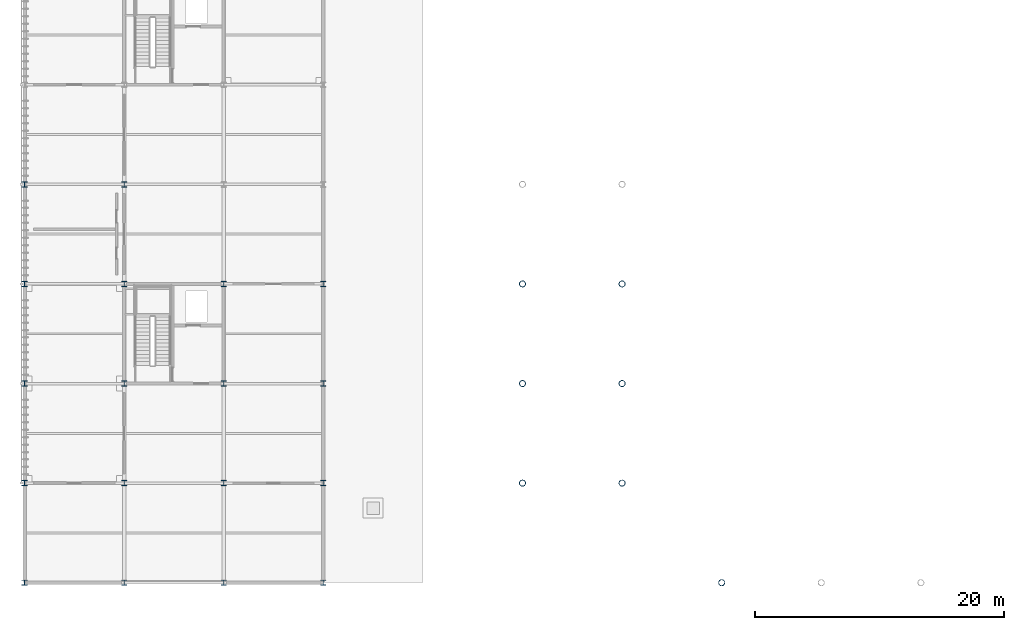
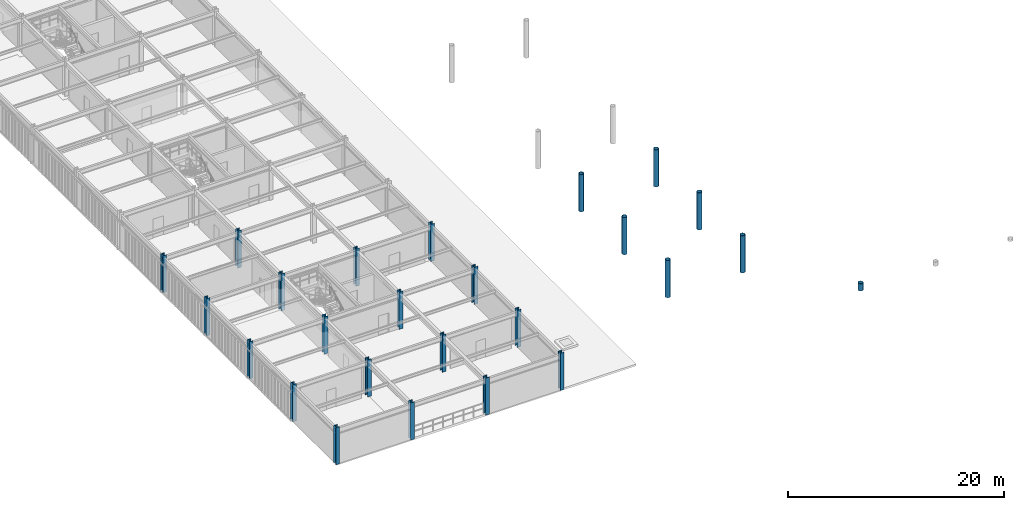
# One storey, part 1 of 54: 25 columns.
"""IFC4 building model written with IfcOpenShell, lengths in metres."""

import ifcopenshell
import ifcopenshell.guid

model = None  # the IFC model being written
_history = None  # IfcOwnerHistory: only IFC2X3 demands one
_inside = {}  # id of a spatial element -> (the spatial element, [elements in it])
_under = {}  # id of a project, library or spatial element -> (it, [spatial elements below it])
_declared = {}  # id of a project -> (the project, [libraries it declares])
_typed = {}  # id of a type object -> (the type object, [elements of that type])
_made_of = {}  # id of a material, layer set ... -> (it, [elements and type objects made of it])


def new_model(schema):
    """Start an empty IFC model of exactly this schema.

    Asked for "IFC4X3", IfcOpenShell would pick the latest addendum, in which some entities
    have other attributes; the version numbers below select the first issue.
    IFC2X3 requires an IfcOwnerHistory on every rooted entity: one is made here for all.
    """
    global model, _history
    if schema == "IFC4X3":
        model = ifcopenshell.file(schema_version=(4, 3, 0, 0))
    else:
        model = ifcopenshell.file(schema=schema)
    _inside.clear()
    _under.clear()
    _declared.clear()
    _typed.clear()
    _made_of.clear()
    _history = None
    if model.schema == "IFC2X3":
        org = make("IfcOrganization", Name="unknown")
        user = make(
            "IfcPersonAndOrganization",
            ThePerson=make("IfcPerson", FamilyName="unknown"),
            TheOrganization=org,
        )
        app = make(
            "IfcApplication",
            ApplicationDeveloper=org,
            Version="unknown",
            ApplicationFullName="unknown",
            ApplicationIdentifier="unknown",
        )
        _history = make(
            "IfcOwnerHistory",
            OwningUser=user,
            OwningApplication=app,
            ChangeAction="ADDED",
            CreationDate=0,
        )
    return model


def make(cls, **values):
    """One entity of the class cls with the attributes given. An attribute that is None is left unset."""
    return model.create_entity(
        cls, **{name: value for name, value in values.items() if value is not None}
    )


def rooted(cls, **values):
    """An entity with a GlobalId (a new one), such as an element, a storey or a relation."""
    return make(cls, GlobalId=ifcopenshell.guid.new(), OwnerHistory=_history, **values)


def si_unit(unit_type, name, prefix=None):
    """IfcSIUnit, for example si_unit("LENGTHUNIT", "METRE", prefix="MILLI")."""
    return make("IfcSIUnit", UnitType=unit_type, Prefix=prefix, Name=name)


def assignment(units):
    """IfcUnitAssignment: the units of a project."""
    return None if units is None else make("IfcUnitAssignment", Units=units)


def point(xyz):
    """IfcCartesianPoint."""
    return None if xyz is None else make("IfcCartesianPoint", Coordinates=xyz)


def direction(xyz):
    """IfcDirection."""
    return None if xyz is None else make("IfcDirection", DirectionRatios=xyz)


def frame(location, z_axis=None, x_axis=None):
    """IfcAxis2Placement3D, a coordinate frame: its origin and axes. An axis left out is left unset."""
    return make(
        "IfcAxis2Placement3D",
        Location=point(location),
        Axis=direction(z_axis),
        RefDirection=direction(x_axis),
    )


def frame_2d(location, x_axis=None):
    """IfcAxis2Placement2D, a coordinate frame in the plane: its origin and x axis."""
    return make(
        "IfcAxis2Placement2D", Location=point(location), RefDirection=direction(x_axis)
    )


def origin():
    """The frame at (0, 0, 0) with its axes left unset."""
    return frame((0.0, 0.0, 0.0))


def origin_2d():
    """The frame at (0, 0) in the plane with its x axis left unset."""
    return frame_2d((0.0, 0.0))


def place(relative_to, where):
    """IfcLocalPlacement: puts the frame where relative to a parent placement (None: the world)."""
    return make(
        "IfcLocalPlacement", PlacementRelTo=relative_to, RelativePlacement=where
    )


def context(
    kind, dimensions, precision=None, world=None, true_north=None, identifier=None
):
    """IfcGeometricRepresentationContext, for example the 3D "Model" context."""
    return make(
        "IfcGeometricRepresentationContext",
        ContextIdentifier=identifier,
        ContextType=kind,
        CoordinateSpaceDimension=dimensions,
        Precision=precision,
        WorldCoordinateSystem=world,
        TrueNorth=true_north,
    )


def subcontext(parent, identifier, kind, view, scale=None):
    """IfcGeometricRepresentationSubContext, for example "Body" below "Model"."""
    return make(
        "IfcGeometricRepresentationSubContext",
        ContextIdentifier=identifier,
        ContextType=kind,
        ParentContext=parent,
        TargetScale=scale,
        TargetView=view,
    )


def project(units=None, contexts=None):
    """IfcProject with its units and contexts."""
    return rooted(
        "IfcProject",
        Name="project",
        RepresentationContexts=contexts,
        UnitsInContext=assignment(units),
    )


def spatial(cls, under=None, at=None, **own):
    """A site, building, storey or space (cls), placed at a placement, below another one or the project."""
    s = rooted(cls, ObjectPlacement=at, **own)
    if under is not None:
        _under.setdefault(under.id(), (under, []))[1].append(s)
    return s


def profile(cls, at=None, kind="AREA", **sizes):
    """A parametric profile (cls). Its sizes go by their IFC names, for example OverallWidth=200.0."""
    return make(cls, ProfileType=kind, Position=at, **sizes)


def hollow_circle(**sizes):
    """IfcCircleHollowProfileDef."""
    return profile("IfcCircleHollowProfileDef", **sizes)


def i_section(**sizes):
    """IfcIShapeProfileDef."""
    return profile("IfcIShapeProfileDef", **sizes)


def extrude(swept, where, along, depth):
    """IfcExtrudedAreaSolid: the profile swept, set in the frame where, extruded along a direction by depth."""
    return make(
        "IfcExtrudedAreaSolid",
        SweptArea=swept,
        Position=where,
        ExtrudedDirection=direction(along),
        Depth=depth,
    )


def shape(context_of_items, identifier, shape_type, items):
    """IfcShapeRepresentation: the items that make up one representation, for example the "Body"."""
    return make(
        "IfcShapeRepresentation",
        ContextOfItems=context_of_items,
        RepresentationIdentifier=identifier,
        RepresentationType=shape_type,
        Items=items,
    )


def material(Name=None, Category=None):
    """IfcMaterial."""
    return make("IfcMaterial", Name=Name, Category=Category)


def material_profile(
    of_material, cross_section, Name=None, Category=None, Priority=None
):
    """IfcMaterialProfile: a cross section and its material."""
    return make(
        "IfcMaterialProfile",
        Name=Name,
        Material=of_material,
        Profile=cross_section,
        Priority=Priority,
        Category=Category,
    )


def profile_set(profiles, Name=None, composite=None):
    """IfcMaterialProfileSet."""
    return make(
        "IfcMaterialProfileSet",
        Name=Name,
        MaterialProfiles=profiles,
        CompositeProfile=composite,
    )


def made_of(thing, what):
    """Note that an element or type object is made of a material, layer set ...; save() writes the relation."""
    if what is not None:
        _made_of.setdefault(what.id(), (what, []))[1].append(thing)
    return thing


def type_object(cls, material=None, **own):
    """A type object (cls), such as IfcWallType, which elements share."""
    return made_of(rooted(cls, **own), material)


def element(
    cls,
    number,
    at=None,
    inside=None,
    cuts=None,
    type_object=None,
    material=None,
    context=None,
    identifier="Body",
    shape_type=None,
    held_by="IfcProductDefinitionShape",
    body=None,
    shapes=None,
    **own,
):
    """One element of the class cls, such as IfcWall. Its Tag is "e" and its number.

    at: its placement. inside: the storey or other place that contains it. cuts: it is an
    opening in that element (IfcRelVoidsElement). A single representation is given by context,
    identifier, shape_type and body (its items); several are given by shapes. held_by: the class
    of the entity that holds the representations. save() writes the other relations.
    """
    e = rooted(cls, Tag="e%d" % number, ObjectPlacement=at, **own)
    if body is not None:
        shapes = [shape(context, identifier, shape_type, body)]
    if shapes is not None:
        e.Representation = make(held_by, Representations=shapes)
    if inside is not None:
        _inside.setdefault(inside.id(), (inside, []))[1].append(e)
    if cuts is not None:
        rooted(
            "IfcRelVoidsElement", RelatingBuildingElement=cuts, RelatedOpeningElement=e
        )
    if type_object is not None:
        _typed.setdefault(type_object.id(), (type_object, []))[1].append(e)
    return made_of(e, material)


def aggregate(whole, parts):
    """IfcRelAggregates: a whole, such as a stair, and the parts it consists of."""
    return rooted("IfcRelAggregates", RelatingObject=whole, RelatedObjects=parts)


def save(model, path):
    """Write the relations noted so far, then the file.

    IfcRelAggregates (storeys below a building ...), IfcRelContainedInSpatialStructure (elements
    in a storey), IfcRelDefinesByType, IfcRelAssociatesMaterial and IfcRelDeclares: one each for
    every whole, place, type object, material and project.
    """
    for whole, parts in _under.values():
        aggregate(whole, parts)
    for where, things in _inside.values():
        rooted(
            "IfcRelContainedInSpatialStructure",
            RelatedElements=things,
            RelatingStructure=where,
        )
    for kind, things in _typed.values():
        rooted("IfcRelDefinesByType", RelatedObjects=things, RelatingType=kind)
    for what, things in _made_of.values():
        rooted("IfcRelAssociatesMaterial", RelatedObjects=things, RelatingMaterial=what)
    for by, libraries in _declared.values():
        rooted("IfcRelDeclares", RelatingContext=by, RelatedDefinitions=libraries)
    model.write(path)


model = new_model("IFC4")

# Units and contexts
model_context = context("Model", 3, precision=1e-05, world=origin(), true_north=direction((0.0, 1.0)))
body_context = subcontext(model_context, "Body", "Model", "MODEL_VIEW")
ifc_project = project(units=[si_unit("LENGTHUNIT", "METRE"), si_unit("AREAUNIT", "SQUARE_METRE"), si_unit("VOLUMEUNIT", "CUBIC_METRE"), si_unit("PLANEANGLEUNIT", "RADIAN"), si_unit("MASSUNIT", "GRAM", prefix="KILO")], contexts=[model_context])

# Site, building, storey
site_placement = place(None, origin())
site = spatial("IfcSite", under=ifc_project, at=site_placement, CompositionType="ELEMENT")
building_placement = place(site_placement, origin())
building = spatial("IfcBuilding", under=site, at=building_placement, Name="Haebicheon Civic Stadium", CompositionType="ELEMENT")
storey_placement = place(building_placement, frame((0.0, 0.0, 22.800048828125)))
storey = spatial("IfcBuildingStorey", under=building, at=storey_placement, Name="L06", CompositionType="ELEMENT", Elevation=22.800048828125)

# Columns
ifc_material_1 = material(Name="White painted steel SM490", Category="steel")
ifc_material_profile_1 = material_profile(ifc_material_1, hollow_circle(Radius=0.25390625, WallThickness=0.02490234375, at=origin_2d()), Name="CHS-508.0x25.0")
ifc_profile_set_1 = profile_set([ifc_material_profile_1], Name="White painted steel SM490")
column_type_1 = type_object("IfcColumnType", Name="COL-ST-CHS508", PredefinedType="COLUMN", material=ifc_profile_set_1)
for number, where, z_axis, x_axis, name in (
    (1, (64.0, 48.0, 0.0), (0.0, 0.0, 1.0), (1.0, 0.0, 0.0), "Bowl/canopy support column 64/48 (L06)"),
    (2, (72.0, 48.0, 0.0), (0.0, 0.0, 1.0), (1.0, 0.0, 0.0), "Bowl/canopy support column 72/48 (L06)"),
    (3, (64.0, 56.0, 0.0), (0.0, 0.0, 1.0), (1.0, 0.0, 0.0), "Bowl/canopy support column 64/56 (L06)"),
    (4, (72.0, 56.0, 0.0), (0.0, 0.0, 1.0), (1.0, 0.0, 0.0), "Bowl/canopy support column 72/56 (L06)"),
    (5, (64.0, 64.0, 0.0), (0.0, 0.0, 1.0), (1.0, 0.0, 0.0), "Bowl/canopy support column 64/64 (L06)"),
    (6, (72.0, 64.0, 0.0), (0.0, 0.0, 1.0), (1.0, 0.0, 0.0), "Bowl/canopy support column 72/64 (L06)"),
):
    element("IfcColumn", number, at=place(storey_placement, frame(where, z_axis=z_axis, x_axis=x_axis)), inside=storey, type_object=column_type_1, material=ifc_profile_set_1, Name=name, PredefinedType="COLUMN", context=body_context, shape_type="SweptSolid", body=[
        extrude(hollow_circle(Radius=0.25390625, WallThickness=0.02490234375, at=origin_2d()), origin(), (0.0, 0.0, 1.0), 4.199951171875),
    ])
column_placement = place(storey_placement, frame((80.0, 40.0, 0.0), z_axis=(0.0, 0.0, 1.0), x_axis=(1.0, 0.0, 0.0)))
element("IfcColumn", 7, at=column_placement, inside=storey, type_object=column_type_1, material=ifc_profile_set_1, Name="Bowl/canopy support column 80/40 (L06)", PredefinedType="COLUMN", context=body_context, shape_type="SweptSolid", body=[
    extrude(hollow_circle(Radius=0.25390625, WallThickness=0.02490234375, at=origin_2d()), origin(), (0.0, 0.0, 1.0), 0.826904296875),
])
ifc_material_2 = material(Name="Steel SM490", Category="steel")
ifc_material_profile_2 = material_profile(ifc_material_2, i_section(OverallWidth=0.406982421875, OverallDepth=0.427978515625, WebThickness=0.02001953125, FlangeThickness=0.034912109375, at=origin_2d()), Name="H-428x407x20x35")
ifc_profile_set_2 = profile_set([ifc_material_profile_2], Name="Steel SM490")
column_type_2 = type_object("IfcColumnType", Name="COL-ST-H428", PredefinedType="COLUMN", material=ifc_profile_set_2)
for number, where, z_axis, x_axis, name in (
    (8, (24.0, 40.0, 0.0), (0.0, 0.0, 1.0), (1.0, 0.0, 0.0), "L06 column 4/F"),
    (9, (24.0, 48.0, 0.0), (0.0, 0.0, 1.0), (1.0, 0.0, 0.0), "L06 column 4/G"),
    (10, (24.0, 56.0, 0.0), (0.0, 0.0, 1.0), (1.0, 0.0, 0.0), "L06 column 4/H"),
    (11, (24.0, 64.0, 0.0), (0.0, 0.0, 1.0), (1.0, 0.0, 0.0), "L06 column 4/J"),
    (12, (24.0, 72.0, 0.0), (0.0, 0.0, 1.0), (1.0, 0.0, 0.0), "L06 column 4/K"),
    (13, (32.0, 40.0, 0.0), (0.0, 0.0, 1.0), (1.0, 0.0, 0.0), "L06 column 5/F"),
    (14, (32.0, 48.0, 0.0), (0.0, 0.0, 1.0), (1.0, 0.0, 0.0), "L06 column 5/G"),
    (15, (32.0, 56.0, 0.0), (0.0, 0.0, 1.0), (1.0, 0.0, 0.0), "L06 column 5/H"),
    (16, (32.0, 64.0, 0.0), (0.0, 0.0, 1.0), (1.0, 0.0, 0.0), "L06 column 5/J"),
    (17, (32.0, 72.0, 0.0), (0.0, 0.0, 1.0), (1.0, 0.0, 0.0), "L06 column 5/K"),
    (18, (40.0, 40.0, 0.0), (0.0, 0.0, 1.0), (1.0, 0.0, 0.0), "L06 column 6/F"),
    (19, (40.0, 48.0, 0.0), (0.0, 0.0, 1.0), (1.0, 0.0, 0.0), "L06 column 6/G"),
    (20, (40.0, 56.0, 0.0), (0.0, 0.0, 1.0), (1.0, 0.0, 0.0), "L06 column 6/H"),
    (21, (40.0, 64.0, 0.0), (0.0, 0.0, 1.0), (1.0, 0.0, 0.0), "L06 column 6/J"),
    (22, (48.0, 40.0, 0.0), (0.0, 0.0, 1.0), (1.0, 0.0, 0.0), "L06 column 7/F"),
    (23, (48.0, 48.0, 0.0), (0.0, 0.0, 1.0), (1.0, 0.0, 0.0), "L06 column 7/G"),
    (24, (48.0, 56.0, 0.0), (0.0, 0.0, 1.0), (1.0, 0.0, 0.0), "L06 column 7/H"),
    (25, (48.0, 64.0, 0.0), (0.0, 0.0, 1.0), (1.0, 0.0, 0.0), "L06 column 7/J"),
):
    element("IfcColumn", number, at=place(storey_placement, frame(where, z_axis=z_axis, x_axis=x_axis)), inside=storey, type_object=column_type_2, material=ifc_profile_set_2, Name=name, PredefinedType="COLUMN", context=body_context, shape_type="SweptSolid", body=[
        extrude(i_section(OverallWidth=0.406982421875, OverallDepth=0.427978515625, WebThickness=0.02001953125, FlangeThickness=0.034912109375, at=origin_2d()), origin(), (0.0, 0.0, 1.0), 4.199951171875),
    ])

save(model, "model.ifc")
